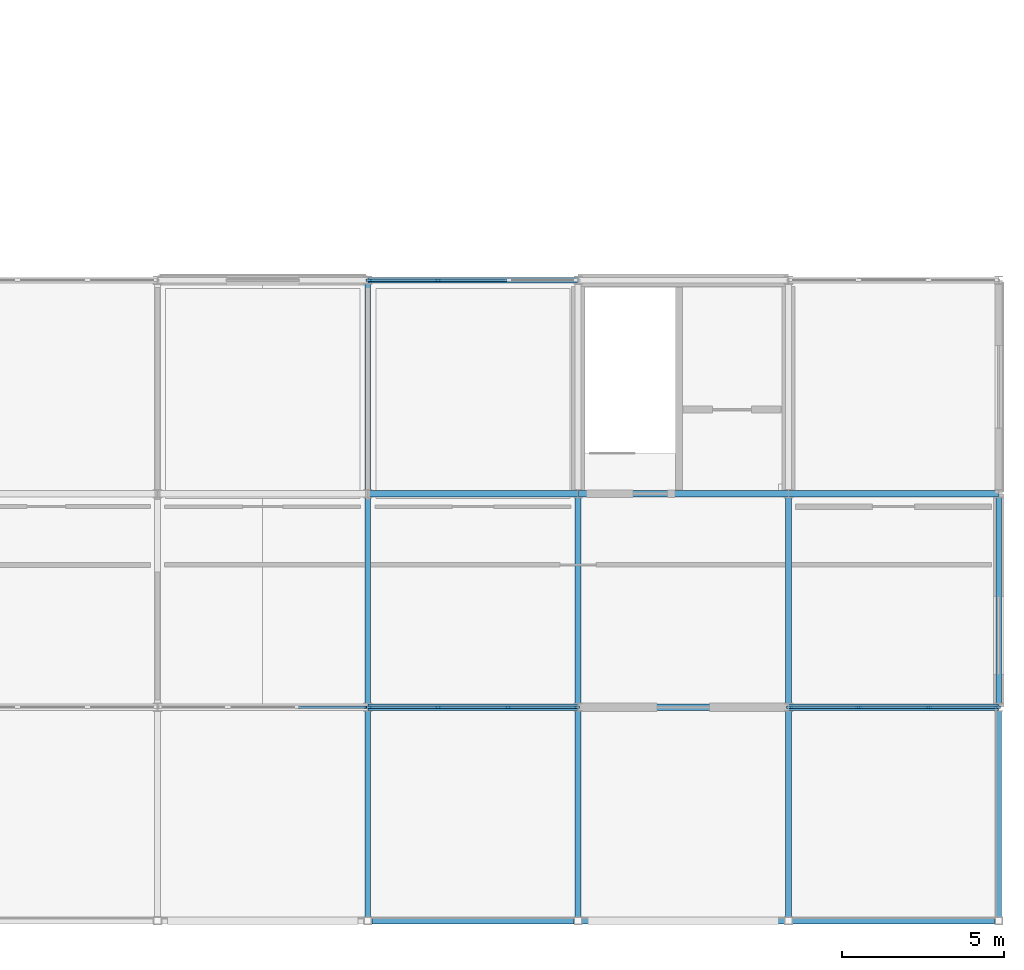
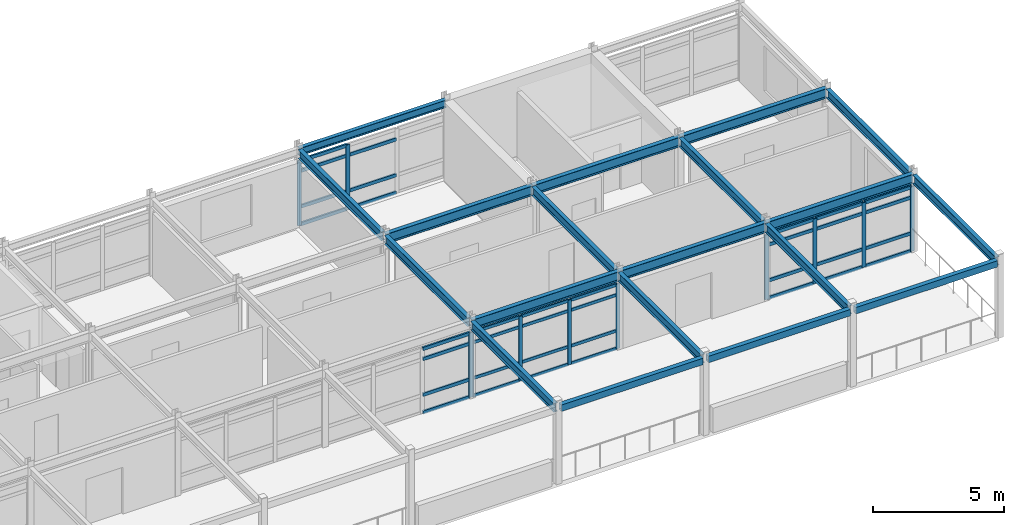
# One storey, part 9 of 20: 46 members, 19 beams, 4 elements without a shape of their own.
"""IFC4 building model written with IfcOpenShell, lengths in metres."""

from ifc_helpers import new_model, si_unit, direction, frame, origin, origin_2d, place, context, subcontext, project, spatial, rectangle, hollow_rectangle, i_section, extrude, material, layer, layer_set, material_profile, profile_set, type_object, element, aggregate, save


model = new_model("IFC4")

# Units and contexts
model_context = context("Model", 3, precision=1e-05, world=origin(), true_north=direction((0.0, 1.0)))
body_context = subcontext(model_context, "Body", "Model", "MODEL_VIEW")
ifc_project = project(units=[si_unit("LENGTHUNIT", "METRE"), si_unit("AREAUNIT", "SQUARE_METRE"), si_unit("VOLUMEUNIT", "CUBIC_METRE"), si_unit("PLANEANGLEUNIT", "RADIAN"), si_unit("MASSUNIT", "GRAM", prefix="KILO")], contexts=[model_context])

# Site, building, storey
site_placement = place(None, origin())
site = spatial("IfcSite", under=ifc_project, at=site_placement, CompositionType="ELEMENT")
building_placement = place(site_placement, origin())
building = spatial("IfcBuilding", under=site, at=building_placement, Name="Trelmorton Wharf Fire Station", CompositionType="ELEMENT")
storey_placement = place(building_placement, frame((0.0, 0.0, 21.300048828125)))
storey = spatial("IfcBuildingStorey", under=building, at=storey_placement, Name="L05", CompositionType="ELEMENT", Elevation=21.300048828125)

# Beams
ifc_material_1 = material(Name="Steel Grade 350", Category="steel")
ifc_material_profile_1 = material_profile(ifc_material_1, i_section(OverallWidth=0.177978515625, OverallDepth=0.406005859375, WebThickness=0.0078125, FlangeThickness=0.0126953125, FilletRadius=0.011474609375, at=origin_2d()), Name="410UB59.7")
ifc_profile_set_1 = profile_set([ifc_material_profile_1], Name="Steel Grade 350")
beam_type_1 = type_object("IfcBeamType", Name="BM_410UB60", PredefinedType="BEAM", material=ifc_profile_set_1)
beam_1_placement = place(storey_placement, frame((136.5, 7.9208984375, 3.427001953125), z_axis=(0.0, 1.0, 0.0), x_axis=(-1.0, 0.0, 0.0)))
element("IfcBeam", 1, at=beam_1_placement, inside=storey, type_object=beam_type_1, Name="BM-L05-1181", PredefinedType="BEAM", context=body_context, shape_type="SweptSolid", body=[
    extrude(i_section(OverallWidth=0.177978515625, OverallDepth=0.406005859375, WebThickness=0.0078125, FlangeThickness=0.0126953125, FilletRadius=0.011474609375, at=origin_2d()), origin(), (0.0, 0.0, 1.0), 6.356201171875),
])
for number, where, z_axis, x_axis, name in (
    (2, (136.5, 14.52294921875, 3.427001953125), (0.0, 1.0, 0.0), (-1.0, 0.0, 0.0), "BM-L05-1182"),
    (3, (136.5, 21.123046875, 3.427001953125), (0.0, 1.0, 0.0), (-1.0, 0.0, 0.0), "BM-L05-1183"),
):
    element("IfcBeam", number, at=place(storey_placement, frame(where, z_axis=z_axis, x_axis=x_axis)), inside=storey, type_object=beam_type_1, Name=name, PredefinedType="BEAM", context=body_context, shape_type="SweptSolid", body=[
        extrude(i_section(OverallWidth=0.177978515625, OverallDepth=0.406005859375, WebThickness=0.0078125, FlangeThickness=0.0126953125, FilletRadius=0.011474609375, at=origin_2d()), origin(), (0.0, 0.0, 1.0), 6.35400390625),
    ])
beam_2_placement = place(storey_placement, frame((143.0, 7.9208984375, 3.427001953125), z_axis=(0.0, 1.0, 0.0), x_axis=(-1.0, 0.0, 0.0)))
element("IfcBeam", 4, at=beam_2_placement, inside=storey, type_object=beam_type_1, Name="BM-L05-1184", PredefinedType="BEAM", context=body_context, shape_type="SweptSolid", body=[
    extrude(i_section(OverallWidth=0.177978515625, OverallDepth=0.406005859375, WebThickness=0.0078125, FlangeThickness=0.0126953125, FilletRadius=0.011474609375, at=origin_2d()), origin(), (0.0, 0.0, 1.0), 6.356201171875),
])
beam_3_placement = place(storey_placement, frame((143.0, 14.52294921875, 3.427001953125), z_axis=(0.0, 1.0, 0.0), x_axis=(-1.0, 0.0, 0.0)))
element("IfcBeam", 5, at=beam_3_placement, inside=storey, type_object=beam_type_1, Name="BM-L05-1185", PredefinedType="BEAM", context=body_context, shape_type="SweptSolid", body=[
    extrude(i_section(OverallWidth=0.177978515625, OverallDepth=0.406005859375, WebThickness=0.0078125, FlangeThickness=0.0126953125, FilletRadius=0.011474609375, at=origin_2d()), origin(), (0.0, 0.0, 1.0), 6.35400390625),
])
beam_4_placement = place(storey_placement, frame((149.5, 7.9208984375, 3.427001953125), z_axis=(0.0, 1.0, 0.0), x_axis=(-1.0, 0.0, 0.0)))
element("IfcBeam", 6, at=beam_4_placement, inside=storey, type_object=beam_type_1, Name="BM-L05-1187", PredefinedType="BEAM", context=body_context, shape_type="SweptSolid", body=[
    extrude(i_section(OverallWidth=0.177978515625, OverallDepth=0.406005859375, WebThickness=0.0078125, FlangeThickness=0.0126953125, FilletRadius=0.011474609375, at=origin_2d()), origin(), (0.0, 0.0, 1.0), 6.356201171875),
])
beam_5_placement = place(storey_placement, frame((149.5, 14.52294921875, 3.427001953125), z_axis=(0.0, 1.0, 0.0), x_axis=(-1.0, 0.0, 0.0)))
element("IfcBeam", 7, at=beam_5_placement, inside=storey, type_object=beam_type_1, Name="BM-L05-1188", PredefinedType="BEAM", context=body_context, shape_type="SweptSolid", body=[
    extrude(i_section(OverallWidth=0.177978515625, OverallDepth=0.406005859375, WebThickness=0.0078125, FlangeThickness=0.0126953125, FilletRadius=0.011474609375, at=origin_2d()), origin(), (0.0, 0.0, 1.0), 6.35400390625),
])
beam_6_placement = place(storey_placement, frame((156.0, 7.9208984375, 3.427001953125), z_axis=(0.0, 1.0, 0.0), x_axis=(-1.0, 0.0, 0.0)))
element("IfcBeam", 8, at=beam_6_placement, inside=storey, type_object=beam_type_1, Name="BM-L05-1190", PredefinedType="BEAM", context=body_context, shape_type="SweptSolid", body=[
    extrude(i_section(OverallWidth=0.177978515625, OverallDepth=0.406005859375, WebThickness=0.0078125, FlangeThickness=0.0126953125, FilletRadius=0.011474609375, at=origin_2d()), origin(), (0.0, 0.0, 1.0), 6.356201171875),
])
beam_7_placement = place(storey_placement, frame((156.0, 14.52294921875, 3.427001953125), z_axis=(0.0, 1.0, 0.0), x_axis=(-1.0, 0.0, 0.0)))
element("IfcBeam", 9, at=beam_7_placement, inside=storey, type_object=beam_type_1, Name="BM-L05-1191", PredefinedType="BEAM", context=body_context, shape_type="SweptSolid", body=[
    extrude(i_section(OverallWidth=0.177978515625, OverallDepth=0.406005859375, WebThickness=0.0078125, FlangeThickness=0.0126953125, FilletRadius=0.011474609375, at=origin_2d()), origin(), (0.0, 0.0, 1.0), 6.35400390625),
])
ifc_material_profile_2 = material_profile(ifc_material_1, i_section(OverallWidth=0.18994140625, OverallDepth=0.45703125, WebThickness=0.009033203125, FlangeThickness=0.014404296875, FilletRadius=0.011474609375, at=origin_2d()), Name="460UB74.6")
ifc_profile_set_2 = profile_set([ifc_material_profile_2], Name="Steel Grade 350")
beam_type_2 = type_object("IfcBeamType", Name="BM_460UB75", PredefinedType="BEAM", material=ifc_profile_set_2)
for number, where, z_axis, x_axis, name in (
    (10, (136.50390625, 14.39990234375, 3.4013671875), (1.0, 0.0, 0.0), (0.0, 1.0, 0.0), "BM-L05-1135"),
    (11, (143.00390625, 14.39990234375, 3.4013671875), (1.0, 0.0, 0.0), (0.0, 1.0, 0.0), "BM-L05-1136"),
    (12, (149.50390625, 14.39990234375, 3.4013671875), (1.0, 0.0, 0.0), (0.0, 1.0, 0.0), "BM-L05-1137"),
    (13, (136.50390625, 21.0, 3.4013671875), (1.0, 0.0, 0.0), (0.0, 1.0, 0.0), "BM-L05-1142"),
    (14, (143.00390625, 21.0, 3.4013671875), (1.0, 0.0, 0.0), (0.0, 1.0, 0.0), "BM-L05-1143"),
    (15, (149.50390625, 21.0, 3.4013671875), (1.0, 0.0, 0.0), (0.0, 1.0, 0.0), "BM-L05-1144"),
):
    element("IfcBeam", number, at=place(storey_placement, frame(where, z_axis=z_axis, x_axis=x_axis)), inside=storey, type_object=beam_type_2, Name=name, PredefinedType="BEAM", context=body_context, shape_type="SweptSolid", body=[
        extrude(i_section(OverallWidth=0.18994140625, OverallDepth=0.45703125, WebThickness=0.009033203125, FlangeThickness=0.014404296875, FilletRadius=0.011474609375, at=origin_2d()), origin(), (0.0, 0.0, 1.0), 6.4921875),
    ])
ifc_material_2 = material(Name="Signal-red architectural steel Grade 350", Category="steel")
ifc_material_profile_3 = material_profile(ifc_material_2, hollow_rectangle(XDim=0.199951171875, YDim=0.300048828125, WallThickness=0.012451171875, at=origin_2d()), Name="300x200x12.5RHS")
ifc_profile_set_3 = profile_set([ifc_material_profile_3], Name="Signal-red architectural steel Grade 350")
beam_type_3 = type_object("IfcBeamType", Name="BM_RED_300RHS", PredefinedType="BEAM", material=ifc_profile_set_3)
for number, where, z_axis, x_axis, name in (
    (16, (136.62109375, 7.800048828125, 3.47998046875), (1.0, 0.0, 0.0), (0.0, 1.0, 0.0), "BM-L05-1128"),
    (17, (143.12109375, 7.800048828125, 3.47998046875), (1.0, 0.0, 0.0), (0.0, 1.0, 0.0), "BM-L05-1129"),
    (18, (149.62109375, 7.800048828125, 3.47998046875), (1.0, 0.0, 0.0), (0.0, 1.0, 0.0), "BM-L05-1130"),
):
    element("IfcBeam", number, at=place(storey_placement, frame(where, z_axis=z_axis, x_axis=x_axis)), inside=storey, type_object=beam_type_3, Name=name, PredefinedType="BEAM", context=body_context, shape_type="SweptSolid", body=[
        extrude(hollow_rectangle(XDim=0.199951171875, YDim=0.300048828125, WallThickness=0.012451171875, at=origin_2d()), origin(), (0.0, 0.0, 1.0), 6.2578125),
    ])

# Curtain wall, members
ifc_material_3 = material(Name="Anodised aluminium AW-6063", Category="aluminium")
ifc_layer_1 = layer(ifc_material_3, 0.159912109375)
ifc_layer_set_1 = layer_set([ifc_layer_1], Name="Anodised aluminium AW-6063")
curtain_wall_type_1 = type_object("IfcCurtainWallType", Name="CW_CHIC_A", PredefinedType="USERDEFINED", material=ifc_layer_set_1)
curtain_wall_1_placement = place(storey_placement, origin())
curtain_wall_1 = element("IfcCurtainWall", 19, at=curtain_wall_1_placement, inside=storey, type_object=curtain_wall_type_1, Name="CW-V5-L05-085", ObjectType="CHICAGO BAY CURTAIN WALL", PredefinedType="USERDEFINED")
ifc_material_profile_4 = material_profile(ifc_material_3, rectangle(XDim=0.06494140625, YDim=0.159912109375, at=origin_2d()), Name="ALU-65x160")
ifc_profile_set_4 = profile_set([ifc_material_profile_4], Name="Anodised aluminium AW-6063")
member_type_1 = type_object("IfcMemberType", Name="CWM_65x160", PredefinedType="MULLION", material=ifc_profile_set_4)
member_1_placement = place(storey_placement, frame((142.965087890625, 14.39990234375, 0.0), z_axis=(0.0, 0.0, 1.0), x_axis=(0.0, -1.0, 0.0)))
member_1 = element("IfcMember", 20, at=member_1_placement, type_object=member_type_1, Name="CW1 mullion 1", PredefinedType="MULLION", context=body_context, shape_type="SweptSolid", body=[
    extrude(rectangle(XDim=0.06494140625, YDim=0.159912109375, at=origin_2d()), origin(), (0.0, 0.0, 1.0), 3.02001953125),
])
member_2_placement = place(storey_placement, frame((140.831787109375, 14.39990234375, 0.0), z_axis=(0.0, 0.0, 1.0), x_axis=(0.0, -1.0, 0.0)))
member_2 = element("IfcMember", 21, at=member_2_placement, type_object=member_type_1, Name="CW1 mullion 2", PredefinedType="MULLION", context=body_context, shape_type="SweptSolid", body=[
    extrude(rectangle(XDim=0.06494140625, YDim=0.159912109375, at=origin_2d()), origin(), (0.0, 0.0, 1.0), 3.02001953125),
])
member_3_placement = place(storey_placement, frame((138.668212890625, 14.39990234375, 0.0), z_axis=(0.0, 0.0, 1.0), x_axis=(0.0, -1.0, 0.0)))
member_3 = element("IfcMember", 22, at=member_3_placement, type_object=member_type_1, Name="CW1 mullion 3", PredefinedType="MULLION", context=body_context, shape_type="SweptSolid", body=[
    extrude(rectangle(XDim=0.06494140625, YDim=0.159912109375, at=origin_2d()), origin(), (0.0, 0.0, 1.0), 3.02001953125),
])
member_4_placement = place(storey_placement, frame((136.534912109375, 14.39990234375, 0.0), z_axis=(0.0, 0.0, 1.0), x_axis=(0.0, -1.0, 0.0)))
member_4 = element("IfcMember", 23, at=member_4_placement, type_object=member_type_1, Name="CW1 mullion 4", PredefinedType="MULLION", context=body_context, shape_type="SweptSolid", body=[
    extrude(rectangle(XDim=0.06494140625, YDim=0.159912109375, at=origin_2d()), origin(), (0.0, 0.0, 1.0), 3.02001953125),
])

# Curtain wall, member
ifc_layer_2 = layer(ifc_material_3, 0.175048828125)
ifc_layer_set_2 = layer_set([ifc_layer_2], Name="Anodised aluminium AW-6063")
curtain_wall_type_2 = type_object("IfcCurtainWallType", Name="CW_CHIC_B", PredefinedType="USERDEFINED", material=ifc_layer_set_2)
curtain_wall_2_placement = place(storey_placement, origin())
curtain_wall_2 = element("IfcCurtainWall", 24, at=curtain_wall_2_placement, inside=storey, type_object=curtain_wall_type_2, Name="CW-V5-L05-084", ObjectType="CHICAGO BAY CURTAIN WALL", PredefinedType="USERDEFINED")
ifc_material_profile_5 = material_profile(ifc_material_3, rectangle(XDim=0.074951171875, YDim=0.175048828125, at=origin_2d()), Name="ALU-75x175")
ifc_profile_set_5 = profile_set([ifc_material_profile_5], Name="Anodised aluminium AW-6063")
member_type_2 = type_object("IfcMemberType", Name="CWM_75x175", PredefinedType="MULLION", material=ifc_profile_set_5)
member_5_placement = place(storey_placement, frame((136.465087890625, 14.39990234375, 0.0), z_axis=(0.0, 0.0, 1.0), x_axis=(0.0, -1.0, 0.0)))
member_5 = element("IfcMember", 25, at=member_5_placement, type_object=member_type_2, Name="CW2 mullion 1", PredefinedType="MULLION", context=body_context, shape_type="SweptSolid", body=[
    extrude(rectangle(XDim=0.074951171875, YDim=0.175048828125, at=origin_2d()), origin(), (0.0, 0.0, 1.0), 3.02001953125),
])

# Curtain wall, members
curtain_wall_3_placement = place(storey_placement, origin())
curtain_wall_3 = element("IfcCurtainWall", 26, at=curtain_wall_3_placement, inside=storey, type_object=curtain_wall_type_1, Name="CW-V5-L05-086", ObjectType="CHICAGO BAY CURTAIN WALL", PredefinedType="USERDEFINED")
member_6_placement = place(storey_placement, frame((155.965087890625, 14.39990234375, 0.0), z_axis=(0.0, 0.0, 1.0), x_axis=(0.0, -1.0, 0.0)))
member_6 = element("IfcMember", 27, at=member_6_placement, type_object=member_type_2, Name="CW1 mullion 1", PredefinedType="MULLION", context=body_context, shape_type="SweptSolid", body=[
    extrude(rectangle(XDim=0.074951171875, YDim=0.175048828125, at=origin_2d()), origin(), (0.0, 0.0, 1.0), 3.02001953125),
])
member_7_placement = place(storey_placement, frame((153.831787109375, 14.39990234375, 0.0), z_axis=(0.0, 0.0, 1.0), x_axis=(0.0, -1.0, 0.0)))
member_7 = element("IfcMember", 28, at=member_7_placement, type_object=member_type_2, Name="CW1 mullion 2", PredefinedType="MULLION", context=body_context, shape_type="SweptSolid", body=[
    extrude(rectangle(XDim=0.074951171875, YDim=0.175048828125, at=origin_2d()), origin(), (0.0, 0.0, 1.0), 3.02001953125),
])
member_8_placement = place(storey_placement, frame((151.668212890625, 14.39990234375, 0.0), z_axis=(0.0, 0.0, 1.0), x_axis=(0.0, -1.0, 0.0)))
member_8 = element("IfcMember", 29, at=member_8_placement, type_object=member_type_2, Name="CW1 mullion 3", PredefinedType="MULLION", context=body_context, shape_type="SweptSolid", body=[
    extrude(rectangle(XDim=0.074951171875, YDim=0.175048828125, at=origin_2d()), origin(), (0.0, 0.0, 1.0), 3.02001953125),
])
member_9_placement = place(storey_placement, frame((149.534912109375, 14.39990234375, 0.0), z_axis=(0.0, 0.0, 1.0), x_axis=(0.0, -1.0, 0.0)))
member_9 = element("IfcMember", 30, at=member_9_placement, type_object=member_type_2, Name="CW1 mullion 4", PredefinedType="MULLION", context=body_context, shape_type="SweptSolid", body=[
    extrude(rectangle(XDim=0.074951171875, YDim=0.175048828125, at=origin_2d()), origin(), (0.0, 0.0, 1.0), 3.02001953125),
])

ifc_layer_3 = layer(ifc_material_3, 0.14990234375)
ifc_layer_set_3 = layer_set([ifc_layer_3], Name="Anodised aluminium AW-6063")
curtain_wall_type_3 = type_object("IfcCurtainWallType", Name="CW_UNIT_A", PredefinedType="USERDEFINED", material=ifc_layer_set_3)
curtain_wall_4_placement = place(storey_placement, origin())
curtain_wall_4 = element("IfcCurtainWall", 31, at=curtain_wall_4_placement, inside=storey, type_object=curtain_wall_type_3, Name="CW-V5-L05-088", ObjectType="UNITISED CURTAIN WALL", PredefinedType="USERDEFINED")
member_10_placement = place(storey_placement, frame((136.534912109375, 27.60009765625, 0.0), z_axis=(0.0, 0.0, 1.0), x_axis=(0.0, 1.0, 0.0)))
member_10 = element("IfcMember", 32, at=member_10_placement, type_object=member_type_2, Name="CW3 mullion 1", PredefinedType="MULLION", context=body_context, shape_type="SweptSolid", body=[
    extrude(rectangle(XDim=0.074951171875, YDim=0.175048828125, at=origin_2d()), origin(), (0.0, 0.0, 1.0), 3.02001953125),
])
member_11_placement = place(storey_placement, frame((138.668212890625, 27.60009765625, 0.0), z_axis=(0.0, 0.0, 1.0), x_axis=(0.0, 1.0, 0.0)))
member_11 = element("IfcMember", 33, at=member_11_placement, type_object=member_type_2, Name="CW3 mullion 2", PredefinedType="MULLION", context=body_context, shape_type="SweptSolid", body=[
    extrude(rectangle(XDim=0.074951171875, YDim=0.175048828125, at=origin_2d()), origin(), (0.0, 0.0, 1.0), 3.02001953125),
])

# Member
ifc_material_profile_6 = material_profile(ifc_material_3, rectangle(XDim=0.06494140625, YDim=0.139892578125, at=origin_2d()), Name="ALU-65x140")
ifc_profile_set_6 = profile_set([ifc_material_profile_6], Name="Anodised aluminium AW-6063")
member_type_3 = type_object("IfcMemberType", Name="CWT_65x140", PredefinedType="USERDEFINED", material=ifc_profile_set_6)
member_12_placement = place(storey_placement, frame((142.93505859375, 14.39990234375, 0.030029296875), z_axis=(-1.0, 0.0, 0.0), x_axis=(0.0, -1.0, 0.0)))
member_12 = element("IfcMember", 34, at=member_12_placement, type_object=member_type_3, Name="CW1 transom 1.1", ObjectType="TRANSOM", PredefinedType="USERDEFINED", context=body_context, shape_type="SweptSolid", body=[
    extrude(rectangle(XDim=0.06494140625, YDim=0.139892578125, at=origin_2d()), origin(), (0.0, 0.0, 1.0), 2.073486328125),
])

member_13_placement = place(storey_placement, frame((142.93505859375, 14.39990234375, 0.849853515625), z_axis=(-1.0, 0.0, 0.0), x_axis=(0.0, -1.0, 0.0)))
member_13 = element("IfcMember", 35, at=member_13_placement, type_object=member_type_3, Name="CW1 transom 1.2", ObjectType="TRANSOM", PredefinedType="USERDEFINED", context=body_context, shape_type="SweptSolid", body=[
    extrude(rectangle(XDim=0.06494140625, YDim=0.139892578125, at=origin_2d()), origin(), (0.0, 0.0, 1.0), 2.073486328125),
])

member_14_placement = place(storey_placement, frame((142.93505859375, 14.39990234375, 2.52001953125), z_axis=(-1.0, 0.0, 0.0), x_axis=(0.0, -1.0, 0.0)))
member_14 = element("IfcMember", 36, at=member_14_placement, type_object=member_type_3, Name="CW1 transom 1.3", ObjectType="TRANSOM", PredefinedType="USERDEFINED", context=body_context, shape_type="SweptSolid", body=[
    extrude(rectangle(XDim=0.06494140625, YDim=0.139892578125, at=origin_2d()), origin(), (0.0, 0.0, 1.0), 2.073486328125),
])

member_15_placement = place(storey_placement, frame((142.93505859375, 14.39990234375, 2.989990234375), z_axis=(-1.0, 0.0, 0.0), x_axis=(0.0, -1.0, 0.0)))
member_15 = element("IfcMember", 37, at=member_15_placement, type_object=member_type_3, Name="CW1 transom 1.4", ObjectType="TRANSOM", PredefinedType="USERDEFINED", context=body_context, shape_type="SweptSolid", body=[
    extrude(rectangle(XDim=0.06494140625, YDim=0.139892578125, at=origin_2d()), origin(), (0.0, 0.0, 1.0), 2.073486328125),
])

member_16_placement = place(storey_placement, frame((140.8017578125, 14.39990234375, 0.030029296875), z_axis=(-1.0, 0.0, 0.0), x_axis=(0.0, -1.0, 0.0)))
member_16 = element("IfcMember", 38, at=member_16_placement, type_object=member_type_3, Name="CW1 transom 2.1", ObjectType="TRANSOM", PredefinedType="USERDEFINED", context=body_context, shape_type="SweptSolid", body=[
    extrude(rectangle(XDim=0.06494140625, YDim=0.139892578125, at=origin_2d()), origin(), (0.0, 0.0, 1.0), 2.103515625),
])

member_17_placement = place(storey_placement, frame((140.8017578125, 14.39990234375, 0.849853515625), z_axis=(-1.0, 0.0, 0.0), x_axis=(0.0, -1.0, 0.0)))
member_17 = element("IfcMember", 39, at=member_17_placement, type_object=member_type_3, Name="CW1 transom 2.2", ObjectType="TRANSOM", PredefinedType="USERDEFINED", context=body_context, shape_type="SweptSolid", body=[
    extrude(rectangle(XDim=0.06494140625, YDim=0.139892578125, at=origin_2d()), origin(), (0.0, 0.0, 1.0), 2.103515625),
])

member_18_placement = place(storey_placement, frame((140.8017578125, 14.39990234375, 2.52001953125), z_axis=(-1.0, 0.0, 0.0), x_axis=(0.0, -1.0, 0.0)))
member_18 = element("IfcMember", 40, at=member_18_placement, type_object=member_type_3, Name="CW1 transom 2.3", ObjectType="TRANSOM", PredefinedType="USERDEFINED", context=body_context, shape_type="SweptSolid", body=[
    extrude(rectangle(XDim=0.06494140625, YDim=0.139892578125, at=origin_2d()), origin(), (0.0, 0.0, 1.0), 2.103515625),
])

member_19_placement = place(storey_placement, frame((140.8017578125, 14.39990234375, 2.989990234375), z_axis=(-1.0, 0.0, 0.0), x_axis=(0.0, -1.0, 0.0)))
member_19 = element("IfcMember", 41, at=member_19_placement, type_object=member_type_3, Name="CW1 transom 2.4", ObjectType="TRANSOM", PredefinedType="USERDEFINED", context=body_context, shape_type="SweptSolid", body=[
    extrude(rectangle(XDim=0.06494140625, YDim=0.139892578125, at=origin_2d()), origin(), (0.0, 0.0, 1.0), 2.103515625),
])

member_20_placement = place(storey_placement, frame((138.638427734375, 14.39990234375, 0.030029296875), z_axis=(-1.0, 0.0, 0.0), x_axis=(0.0, -1.0, 0.0)))
member_20 = element("IfcMember", 42, at=member_20_placement, type_object=member_type_3, Name="CW1 transom 3.1", ObjectType="TRANSOM", PredefinedType="USERDEFINED", context=body_context, shape_type="SweptSolid", body=[
    extrude(rectangle(XDim=0.06494140625, YDim=0.139892578125, at=origin_2d()), origin(), (0.0, 0.0, 1.0), 2.073486328125),
])

member_21_placement = place(storey_placement, frame((138.638427734375, 14.39990234375, 0.849853515625), z_axis=(-1.0, 0.0, 0.0), x_axis=(0.0, -1.0, 0.0)))
member_21 = element("IfcMember", 43, at=member_21_placement, type_object=member_type_3, Name="CW1 transom 3.2", ObjectType="TRANSOM", PredefinedType="USERDEFINED", context=body_context, shape_type="SweptSolid", body=[
    extrude(rectangle(XDim=0.06494140625, YDim=0.139892578125, at=origin_2d()), origin(), (0.0, 0.0, 1.0), 2.073486328125),
])

member_22_placement = place(storey_placement, frame((138.638427734375, 14.39990234375, 2.52001953125), z_axis=(-1.0, 0.0, 0.0), x_axis=(0.0, -1.0, 0.0)))
member_22 = element("IfcMember", 44, at=member_22_placement, type_object=member_type_3, Name="CW1 transom 3.3", ObjectType="TRANSOM", PredefinedType="USERDEFINED", context=body_context, shape_type="SweptSolid", body=[
    extrude(rectangle(XDim=0.06494140625, YDim=0.139892578125, at=origin_2d()), origin(), (0.0, 0.0, 1.0), 2.073486328125),
])

member_23_placement = place(storey_placement, frame((138.638427734375, 14.39990234375, 2.989990234375), z_axis=(-1.0, 0.0, 0.0), x_axis=(0.0, -1.0, 0.0)))
member_23 = element("IfcMember", 45, at=member_23_placement, type_object=member_type_3, Name="CW1 transom 3.4", ObjectType="TRANSOM", PredefinedType="USERDEFINED", context=body_context, shape_type="SweptSolid", body=[
    extrude(rectangle(XDim=0.06494140625, YDim=0.139892578125, at=origin_2d()), origin(), (0.0, 0.0, 1.0), 2.073486328125),
])

aggregate(curtain_wall_1, [member_1, member_2, member_3, member_4, member_12, member_13, member_14, member_15, member_16, member_17, member_18, member_19, member_20, member_21, member_22, member_23])

ifc_material_profile_7 = material_profile(ifc_material_3, rectangle(XDim=0.074951171875, YDim=0.155029296875, at=origin_2d()), Name="ALU-75x155")
ifc_profile_set_7 = profile_set([ifc_material_profile_7], Name="Anodised aluminium AW-6063")
member_type_4 = type_object("IfcMemberType", Name="CWT_75x155", PredefinedType="USERDEFINED", material=ifc_profile_set_7)
member_24_placement = place(storey_placement, frame((136.43505859375, 14.39990234375, 0.030029296875), z_axis=(-1.0, 0.0, 0.0), x_axis=(0.0, -1.0, 0.0)))
member_24 = element("IfcMember", 46, at=member_24_placement, type_object=member_type_4, Name="CW2 transom 1.1", ObjectType="TRANSOM", PredefinedType="USERDEFINED", context=body_context, shape_type="SweptSolid", body=[
    extrude(rectangle(XDim=0.074951171875, YDim=0.155029296875, at=origin_2d()), origin(), (0.0, 0.0, 1.0), 2.073486328125),
])

member_25_placement = place(storey_placement, frame((136.43505859375, 14.39990234375, 0.849853515625), z_axis=(-1.0, 0.0, 0.0), x_axis=(0.0, -1.0, 0.0)))
member_25 = element("IfcMember", 47, at=member_25_placement, type_object=member_type_4, Name="CW2 transom 1.2", ObjectType="TRANSOM", PredefinedType="USERDEFINED", context=body_context, shape_type="SweptSolid", body=[
    extrude(rectangle(XDim=0.074951171875, YDim=0.155029296875, at=origin_2d()), origin(), (0.0, 0.0, 1.0), 2.073486328125),
])

member_26_placement = place(storey_placement, frame((136.43505859375, 14.39990234375, 2.52001953125), z_axis=(-1.0, 0.0, 0.0), x_axis=(0.0, -1.0, 0.0)))
member_26 = element("IfcMember", 48, at=member_26_placement, type_object=member_type_4, Name="CW2 transom 1.3", ObjectType="TRANSOM", PredefinedType="USERDEFINED", context=body_context, shape_type="SweptSolid", body=[
    extrude(rectangle(XDim=0.074951171875, YDim=0.155029296875, at=origin_2d()), origin(), (0.0, 0.0, 1.0), 2.073486328125),
])

member_27_placement = place(storey_placement, frame((136.43505859375, 14.39990234375, 2.989990234375), z_axis=(-1.0, 0.0, 0.0), x_axis=(0.0, -1.0, 0.0)))
member_27 = element("IfcMember", 49, at=member_27_placement, type_object=member_type_4, Name="CW2 transom 1.4", ObjectType="TRANSOM", PredefinedType="USERDEFINED", context=body_context, shape_type="SweptSolid", body=[
    extrude(rectangle(XDim=0.074951171875, YDim=0.155029296875, at=origin_2d()), origin(), (0.0, 0.0, 1.0), 2.073486328125),
])

aggregate(curtain_wall_2, [member_5, member_24, member_25, member_26, member_27])

member_28_placement = place(storey_placement, frame((155.93505859375, 14.39990234375, 0.030029296875), z_axis=(-1.0, 0.0, 0.0), x_axis=(0.0, -1.0, 0.0)))
member_28 = element("IfcMember", 50, at=member_28_placement, type_object=member_type_4, Name="CW1 transom 1.1", ObjectType="TRANSOM", PredefinedType="USERDEFINED", context=body_context, shape_type="SweptSolid", body=[
    extrude(rectangle(XDim=0.074951171875, YDim=0.155029296875, at=origin_2d()), origin(), (0.0, 0.0, 1.0), 2.073486328125),
])

member_29_placement = place(storey_placement, frame((155.93505859375, 14.39990234375, 0.849853515625), z_axis=(-1.0, 0.0, 0.0), x_axis=(0.0, -1.0, 0.0)))
member_29 = element("IfcMember", 51, at=member_29_placement, type_object=member_type_4, Name="CW1 transom 1.2", ObjectType="TRANSOM", PredefinedType="USERDEFINED", context=body_context, shape_type="SweptSolid", body=[
    extrude(rectangle(XDim=0.074951171875, YDim=0.155029296875, at=origin_2d()), origin(), (0.0, 0.0, 1.0), 2.073486328125),
])

member_30_placement = place(storey_placement, frame((155.93505859375, 14.39990234375, 2.52001953125), z_axis=(-1.0, 0.0, 0.0), x_axis=(0.0, -1.0, 0.0)))
member_30 = element("IfcMember", 52, at=member_30_placement, type_object=member_type_4, Name="CW1 transom 1.3", ObjectType="TRANSOM", PredefinedType="USERDEFINED", context=body_context, shape_type="SweptSolid", body=[
    extrude(rectangle(XDim=0.074951171875, YDim=0.155029296875, at=origin_2d()), origin(), (0.0, 0.0, 1.0), 2.073486328125),
])

member_31_placement = place(storey_placement, frame((155.93505859375, 14.39990234375, 2.989990234375), z_axis=(-1.0, 0.0, 0.0), x_axis=(0.0, -1.0, 0.0)))
member_31 = element("IfcMember", 53, at=member_31_placement, type_object=member_type_4, Name="CW1 transom 1.4", ObjectType="TRANSOM", PredefinedType="USERDEFINED", context=body_context, shape_type="SweptSolid", body=[
    extrude(rectangle(XDim=0.074951171875, YDim=0.155029296875, at=origin_2d()), origin(), (0.0, 0.0, 1.0), 2.073486328125),
])

member_32_placement = place(storey_placement, frame((153.8017578125, 14.39990234375, 0.030029296875), z_axis=(-1.0, 0.0, 0.0), x_axis=(0.0, -1.0, 0.0)))
member_32 = element("IfcMember", 54, at=member_32_placement, type_object=member_type_4, Name="CW1 transom 2.1", ObjectType="TRANSOM", PredefinedType="USERDEFINED", context=body_context, shape_type="SweptSolid", body=[
    extrude(rectangle(XDim=0.074951171875, YDim=0.155029296875, at=origin_2d()), origin(), (0.0, 0.0, 1.0), 2.103515625),
])

member_33_placement = place(storey_placement, frame((153.8017578125, 14.39990234375, 0.849853515625), z_axis=(-1.0, 0.0, 0.0), x_axis=(0.0, -1.0, 0.0)))
member_33 = element("IfcMember", 55, at=member_33_placement, type_object=member_type_4, Name="CW1 transom 2.2", ObjectType="TRANSOM", PredefinedType="USERDEFINED", context=body_context, shape_type="SweptSolid", body=[
    extrude(rectangle(XDim=0.074951171875, YDim=0.155029296875, at=origin_2d()), origin(), (0.0, 0.0, 1.0), 2.103515625),
])

member_34_placement = place(storey_placement, frame((153.8017578125, 14.39990234375, 2.52001953125), z_axis=(-1.0, 0.0, 0.0), x_axis=(0.0, -1.0, 0.0)))
member_34 = element("IfcMember", 56, at=member_34_placement, type_object=member_type_4, Name="CW1 transom 2.3", ObjectType="TRANSOM", PredefinedType="USERDEFINED", context=body_context, shape_type="SweptSolid", body=[
    extrude(rectangle(XDim=0.074951171875, YDim=0.155029296875, at=origin_2d()), origin(), (0.0, 0.0, 1.0), 2.103515625),
])

member_35_placement = place(storey_placement, frame((153.8017578125, 14.39990234375, 2.989990234375), z_axis=(-1.0, 0.0, 0.0), x_axis=(0.0, -1.0, 0.0)))
member_35 = element("IfcMember", 57, at=member_35_placement, type_object=member_type_4, Name="CW1 transom 2.4", ObjectType="TRANSOM", PredefinedType="USERDEFINED", context=body_context, shape_type="SweptSolid", body=[
    extrude(rectangle(XDim=0.074951171875, YDim=0.155029296875, at=origin_2d()), origin(), (0.0, 0.0, 1.0), 2.103515625),
])

member_36_placement = place(storey_placement, frame((151.638427734375, 14.39990234375, 0.030029296875), z_axis=(-1.0, 0.0, 0.0), x_axis=(0.0, -1.0, 0.0)))
member_36 = element("IfcMember", 58, at=member_36_placement, type_object=member_type_4, Name="CW1 transom 3.1", ObjectType="TRANSOM", PredefinedType="USERDEFINED", context=body_context, shape_type="SweptSolid", body=[
    extrude(rectangle(XDim=0.074951171875, YDim=0.155029296875, at=origin_2d()), origin(), (0.0, 0.0, 1.0), 2.073486328125),
])

member_37_placement = place(storey_placement, frame((151.638427734375, 14.39990234375, 0.849853515625), z_axis=(-1.0, 0.0, 0.0), x_axis=(0.0, -1.0, 0.0)))
member_37 = element("IfcMember", 59, at=member_37_placement, type_object=member_type_4, Name="CW1 transom 3.2", ObjectType="TRANSOM", PredefinedType="USERDEFINED", context=body_context, shape_type="SweptSolid", body=[
    extrude(rectangle(XDim=0.074951171875, YDim=0.155029296875, at=origin_2d()), origin(), (0.0, 0.0, 1.0), 2.073486328125),
])

member_38_placement = place(storey_placement, frame((151.638427734375, 14.39990234375, 2.52001953125), z_axis=(-1.0, 0.0, 0.0), x_axis=(0.0, -1.0, 0.0)))
member_38 = element("IfcMember", 60, at=member_38_placement, type_object=member_type_4, Name="CW1 transom 3.3", ObjectType="TRANSOM", PredefinedType="USERDEFINED", context=body_context, shape_type="SweptSolid", body=[
    extrude(rectangle(XDim=0.074951171875, YDim=0.155029296875, at=origin_2d()), origin(), (0.0, 0.0, 1.0), 2.073486328125),
])

member_39_placement = place(storey_placement, frame((151.638427734375, 14.39990234375, 2.989990234375), z_axis=(-1.0, 0.0, 0.0), x_axis=(0.0, -1.0, 0.0)))
member_39 = element("IfcMember", 61, at=member_39_placement, type_object=member_type_4, Name="CW1 transom 3.4", ObjectType="TRANSOM", PredefinedType="USERDEFINED", context=body_context, shape_type="SweptSolid", body=[
    extrude(rectangle(XDim=0.074951171875, YDim=0.155029296875, at=origin_2d()), origin(), (0.0, 0.0, 1.0), 2.073486328125),
])

aggregate(curtain_wall_3, [member_6, member_7, member_8, member_9, member_28, member_29, member_30, member_31, member_32, member_33, member_34, member_35, member_36, member_37, member_38, member_39])

member_40_placement = place(storey_placement, frame((136.56494140625, 27.60009765625, 0.030029296875), z_axis=(1.0, 0.0, 0.0), x_axis=(0.0, 1.0, 0.0)))
member_40 = element("IfcMember", 62, at=member_40_placement, type_object=member_type_4, Name="CW3 transom 1.1", ObjectType="TRANSOM", PredefinedType="USERDEFINED", context=body_context, shape_type="SweptSolid", body=[
    extrude(rectangle(XDim=0.074951171875, YDim=0.155029296875, at=origin_2d()), origin(), (0.0, 0.0, 1.0), 2.073486328125),
])

member_41_placement = place(storey_placement, frame((136.56494140625, 27.60009765625, 0.849853515625), z_axis=(1.0, 0.0, 0.0), x_axis=(0.0, 1.0, 0.0)))
member_41 = element("IfcMember", 63, at=member_41_placement, type_object=member_type_4, Name="CW3 transom 1.2", ObjectType="TRANSOM", PredefinedType="USERDEFINED", context=body_context, shape_type="SweptSolid", body=[
    extrude(rectangle(XDim=0.074951171875, YDim=0.155029296875, at=origin_2d()), origin(), (0.0, 0.0, 1.0), 2.073486328125),
])

member_42_placement = place(storey_placement, frame((136.56494140625, 27.60009765625, 2.52001953125), z_axis=(1.0, 0.0, 0.0), x_axis=(0.0, 1.0, 0.0)))
member_42 = element("IfcMember", 64, at=member_42_placement, type_object=member_type_4, Name="CW3 transom 1.3", ObjectType="TRANSOM", PredefinedType="USERDEFINED", context=body_context, shape_type="SweptSolid", body=[
    extrude(rectangle(XDim=0.074951171875, YDim=0.155029296875, at=origin_2d()), origin(), (0.0, 0.0, 1.0), 2.073486328125),
])

member_43_placement = place(storey_placement, frame((136.56494140625, 27.60009765625, 2.989990234375), z_axis=(1.0, 0.0, 0.0), x_axis=(0.0, 1.0, 0.0)))
member_43 = element("IfcMember", 65, at=member_43_placement, type_object=member_type_4, Name="CW3 transom 1.4", ObjectType="TRANSOM", PredefinedType="USERDEFINED", context=body_context, shape_type="SweptSolid", body=[
    extrude(rectangle(XDim=0.074951171875, YDim=0.155029296875, at=origin_2d()), origin(), (0.0, 0.0, 1.0), 2.073486328125),
])

member_44_placement = place(storey_placement, frame((138.6982421875, 27.60009765625, 0.030029296875), z_axis=(1.0, 0.0, 0.0), x_axis=(0.0, 1.0, 0.0)))
member_44 = element("IfcMember", 66, at=member_44_placement, type_object=member_type_4, Name="CW3 transom 2.1", ObjectType="TRANSOM", PredefinedType="USERDEFINED", context=body_context, shape_type="SweptSolid", body=[
    extrude(rectangle(XDim=0.074951171875, YDim=0.155029296875, at=origin_2d()), origin(), (0.0, 0.0, 1.0), 2.103515625),
])

member_45_placement = place(storey_placement, frame((138.6982421875, 27.60009765625, 0.849853515625), z_axis=(1.0, 0.0, 0.0), x_axis=(0.0, 1.0, 0.0)))
member_45 = element("IfcMember", 67, at=member_45_placement, type_object=member_type_4, Name="CW3 transom 2.2", ObjectType="TRANSOM", PredefinedType="USERDEFINED", context=body_context, shape_type="SweptSolid", body=[
    extrude(rectangle(XDim=0.074951171875, YDim=0.155029296875, at=origin_2d()), origin(), (0.0, 0.0, 1.0), 2.103515625),
])

member_46_placement = place(storey_placement, frame((138.6982421875, 27.60009765625, 2.52001953125), z_axis=(1.0, 0.0, 0.0), x_axis=(0.0, 1.0, 0.0)))
member_46 = element("IfcMember", 68, at=member_46_placement, type_object=member_type_4, Name="CW3 transom 2.3", ObjectType="TRANSOM", PredefinedType="USERDEFINED", context=body_context, shape_type="SweptSolid", body=[
    extrude(rectangle(XDim=0.074951171875, YDim=0.155029296875, at=origin_2d()), origin(), (0.0, 0.0, 1.0), 2.103515625),
])

aggregate(curtain_wall_4, [member_10, member_11, member_40, member_41, member_42, member_43, member_44, member_45, member_46])

# Beam
ifc_material_profile_8 = material_profile(ifc_material_1, i_section(OverallWidth=0.1708984375, OverallDepth=0.35595703125, WebThickness=0.00732421875, FlangeThickness=0.011474609375, FilletRadius=0.011474609375, at=origin_2d()), Name="360UB50.7")
ifc_profile_set_8 = profile_set([ifc_material_profile_8], Name="Steel Grade 350")
beam_type_4 = type_object("IfcBeamType", Name="SP_360UB51", PredefinedType="SPANDREL", material=ifc_profile_set_8)
beam_8_placement = place(storey_placement, frame((136.50390625, 27.60009765625, 3.451904296875), z_axis=(1.0, 0.0, 0.0), x_axis=(0.0, 1.0, 0.0)))
element("IfcBeam", 69, at=beam_8_placement, inside=storey, type_object=beam_type_4, Name="BM-L05-1149", PredefinedType="SPANDREL", context=body_context, shape_type="SweptSolid", body=[
    extrude(i_section(OverallWidth=0.1708984375, OverallDepth=0.35595703125, WebThickness=0.00732421875, FlangeThickness=0.011474609375, FilletRadius=0.011474609375, at=origin_2d()), origin(), (0.0, 0.0, 1.0), 6.4921875),
])

save(model, "model.ifc")
